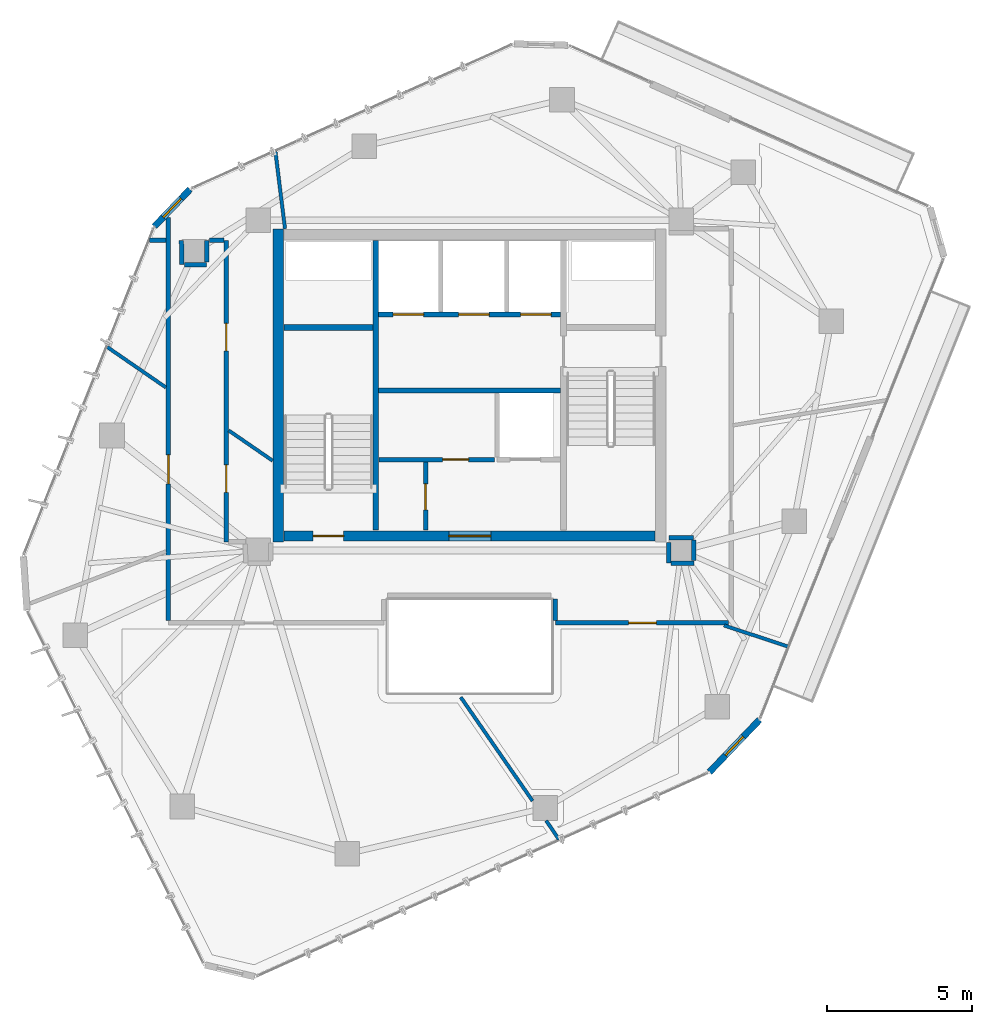
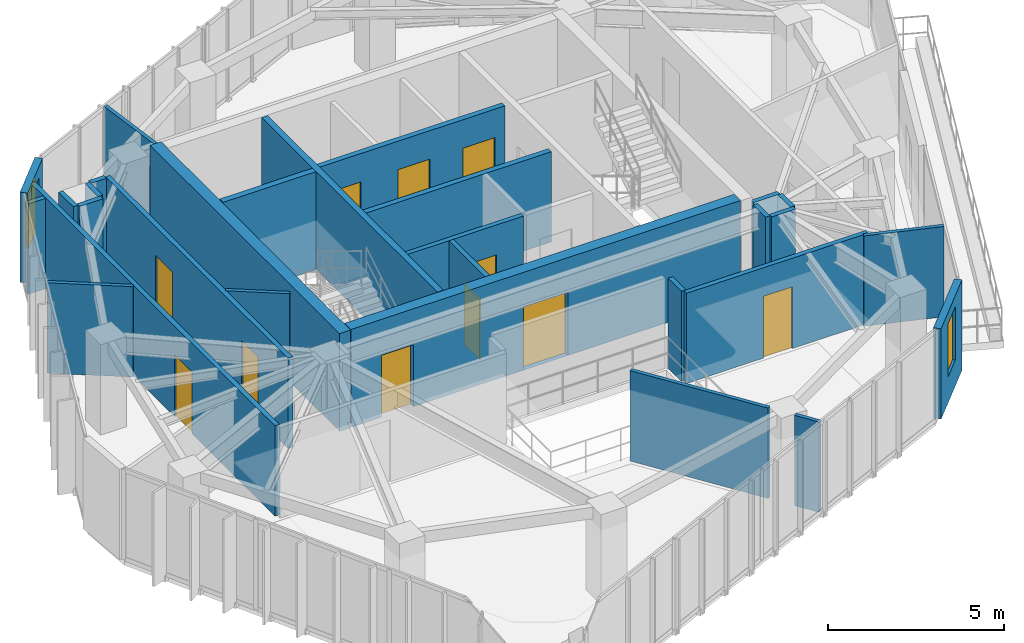
# One storey, part 17 of 21: 29 walls, 11 doors, 2 windows, 13 openings.
"""IFC4 building model written with IfcOpenShell, lengths in metres."""

import ifcopenshell
import ifcopenshell.guid

model = None  # the IFC model being written
_history = None  # IfcOwnerHistory: only IFC2X3 demands one
_inside = {}  # id of a spatial element -> (the spatial element, [elements in it])
_under = {}  # id of a project, library or spatial element -> (it, [spatial elements below it])
_declared = {}  # id of a project -> (the project, [libraries it declares])
_typed = {}  # id of a type object -> (the type object, [elements of that type])
_made_of = {}  # id of a material, layer set ... -> (it, [elements and type objects made of it])


def new_model(schema):
    """Start an empty IFC model of exactly this schema.

    Asked for "IFC4X3", IfcOpenShell would pick the latest addendum, in which some entities
    have other attributes; the version numbers below select the first issue.
    IFC2X3 requires an IfcOwnerHistory on every rooted entity: one is made here for all.
    """
    global model, _history
    if schema == "IFC4X3":
        model = ifcopenshell.file(schema_version=(4, 3, 0, 0))
    else:
        model = ifcopenshell.file(schema=schema)
    _inside.clear()
    _under.clear()
    _declared.clear()
    _typed.clear()
    _made_of.clear()
    _history = None
    if model.schema == "IFC2X3":
        org = make("IfcOrganization", Name="unknown")
        user = make(
            "IfcPersonAndOrganization",
            ThePerson=make("IfcPerson", FamilyName="unknown"),
            TheOrganization=org,
        )
        app = make(
            "IfcApplication",
            ApplicationDeveloper=org,
            Version="unknown",
            ApplicationFullName="unknown",
            ApplicationIdentifier="unknown",
        )
        _history = make(
            "IfcOwnerHistory",
            OwningUser=user,
            OwningApplication=app,
            ChangeAction="ADDED",
            CreationDate=0,
        )
    return model


def make(cls, **values):
    """One entity of the class cls with the attributes given. An attribute that is None is left unset."""
    return model.create_entity(
        cls, **{name: value for name, value in values.items() if value is not None}
    )


def rooted(cls, **values):
    """An entity with a GlobalId (a new one), such as an element, a storey or a relation."""
    return make(cls, GlobalId=ifcopenshell.guid.new(), OwnerHistory=_history, **values)


def si_unit(unit_type, name, prefix=None):
    """IfcSIUnit, for example si_unit("LENGTHUNIT", "METRE", prefix="MILLI")."""
    return make("IfcSIUnit", UnitType=unit_type, Prefix=prefix, Name=name)


def assignment(units):
    """IfcUnitAssignment: the units of a project."""
    return None if units is None else make("IfcUnitAssignment", Units=units)


def point(xyz):
    """IfcCartesianPoint."""
    return None if xyz is None else make("IfcCartesianPoint", Coordinates=xyz)


def direction(xyz):
    """IfcDirection."""
    return None if xyz is None else make("IfcDirection", DirectionRatios=xyz)


def frame(location, z_axis=None, x_axis=None):
    """IfcAxis2Placement3D, a coordinate frame: its origin and axes. An axis left out is left unset."""
    return make(
        "IfcAxis2Placement3D",
        Location=point(location),
        Axis=direction(z_axis),
        RefDirection=direction(x_axis),
    )


def frame_2d(location, x_axis=None):
    """IfcAxis2Placement2D, a coordinate frame in the plane: its origin and x axis."""
    return make(
        "IfcAxis2Placement2D", Location=point(location), RefDirection=direction(x_axis)
    )


def origin():
    """The frame at (0, 0, 0) with its axes left unset."""
    return frame((0.0, 0.0, 0.0))


def place(relative_to, where):
    """IfcLocalPlacement: puts the frame where relative to a parent placement (None: the world)."""
    return make(
        "IfcLocalPlacement", PlacementRelTo=relative_to, RelativePlacement=where
    )


def context(
    kind, dimensions, precision=None, world=None, true_north=None, identifier=None
):
    """IfcGeometricRepresentationContext, for example the 3D "Model" context."""
    return make(
        "IfcGeometricRepresentationContext",
        ContextIdentifier=identifier,
        ContextType=kind,
        CoordinateSpaceDimension=dimensions,
        Precision=precision,
        WorldCoordinateSystem=world,
        TrueNorth=true_north,
    )


def subcontext(parent, identifier, kind, view, scale=None):
    """IfcGeometricRepresentationSubContext, for example "Body" below "Model"."""
    return make(
        "IfcGeometricRepresentationSubContext",
        ContextIdentifier=identifier,
        ContextType=kind,
        ParentContext=parent,
        TargetScale=scale,
        TargetView=view,
    )


def project(units=None, contexts=None):
    """IfcProject with its units and contexts."""
    return rooted(
        "IfcProject",
        Name="project",
        RepresentationContexts=contexts,
        UnitsInContext=assignment(units),
    )


def spatial(cls, under=None, at=None, **own):
    """A site, building, storey or space (cls), placed at a placement, below another one or the project."""
    s = rooted(cls, ObjectPlacement=at, **own)
    if under is not None:
        _under.setdefault(under.id(), (under, []))[1].append(s)
    return s


def profile(cls, at=None, kind="AREA", **sizes):
    """A parametric profile (cls). Its sizes go by their IFC names, for example OverallWidth=200.0."""
    return make(cls, ProfileType=kind, Position=at, **sizes)


def rectangle(**sizes):
    """IfcRectangleProfileDef."""
    return profile("IfcRectangleProfileDef", **sizes)


def extrude(swept, where, along, depth):
    """IfcExtrudedAreaSolid: the profile swept, set in the frame where, extruded along a direction by depth."""
    return make(
        "IfcExtrudedAreaSolid",
        SweptArea=swept,
        Position=where,
        ExtrudedDirection=direction(along),
        Depth=depth,
    )


def shape(context_of_items, identifier, shape_type, items):
    """IfcShapeRepresentation: the items that make up one representation, for example the "Body"."""
    return make(
        "IfcShapeRepresentation",
        ContextOfItems=context_of_items,
        RepresentationIdentifier=identifier,
        RepresentationType=shape_type,
        Items=items,
    )


def source(mapping_origin, context_of_items, identifier, shape_type, items):
    """IfcRepresentationMap: a shape defined once, which mapped items show again and again."""
    return make(
        "IfcRepresentationMap",
        MappingOrigin=mapping_origin,
        MappedRepresentation=shape(context_of_items, identifier, shape_type, items),
    )


def transform(
    local_origin,
    x_axis=None,
    y_axis=None,
    z_axis=None,
    scale=None,
    scale2=None,
    scale3=None,
    uniform=True,
):
    """IfcCartesianTransformationOperator3D, or its non-uniform kind. x_axis, y_axis, z_axis: its Axis1, 2, 3."""
    if uniform:
        return make(
            "IfcCartesianTransformationOperator3D",
            Axis1=direction(x_axis),
            Axis2=direction(y_axis),
            LocalOrigin=point(local_origin),
            Scale=scale,
            Axis3=direction(z_axis),
        )
    return make(
        "IfcCartesianTransformationOperator3DnonUniform",
        Axis1=direction(x_axis),
        Axis2=direction(y_axis),
        LocalOrigin=point(local_origin),
        Scale=scale,
        Axis3=direction(z_axis),
        Scale2=scale2,
        Scale3=scale3,
    )


def mapped(mapping_source, mapping_target):
    """IfcMappedItem: shows the shape of a source again, moved by a transform."""
    return make(
        "IfcMappedItem", MappingSource=mapping_source, MappingTarget=mapping_target
    )


def material(Name=None, Category=None):
    """IfcMaterial."""
    return make("IfcMaterial", Name=Name, Category=Category)


def layer(
    of_material, thickness, ventilated=None, Name=None, Category=None, Priority=None
):
    """IfcMaterialLayer: one layer of a wall or slab, of a material (None: an air gap)."""
    return make(
        "IfcMaterialLayer",
        Material=of_material,
        LayerThickness=thickness,
        IsVentilated=ventilated,
        Name=Name,
        Category=Category,
        Priority=Priority,
    )


def layer_set(layers, Name=None):
    """IfcMaterialLayerSet."""
    return make("IfcMaterialLayerSet", MaterialLayers=layers, LayerSetName=Name)


def made_of(thing, what):
    """Note that an element or type object is made of a material, layer set ...; save() writes the relation."""
    if what is not None:
        _made_of.setdefault(what.id(), (what, []))[1].append(thing)
    return thing


def type_object(cls, material=None, **own):
    """A type object (cls), such as IfcWallType, which elements share."""
    return made_of(rooted(cls, **own), material)


def type_shapes(of_type, sources):
    """Give a type object the sources (RepresentationMaps) that its elements show as mapped items."""
    of_type.RepresentationMaps = sources


def element(
    cls,
    number,
    at=None,
    inside=None,
    cuts=None,
    type_object=None,
    material=None,
    context=None,
    identifier="Body",
    shape_type=None,
    held_by="IfcProductDefinitionShape",
    body=None,
    shapes=None,
    **own,
):
    """One element of the class cls, such as IfcWall. Its Tag is "e" and its number.

    at: its placement. inside: the storey or other place that contains it. cuts: it is an
    opening in that element (IfcRelVoidsElement). A single representation is given by context,
    identifier, shape_type and body (its items); several are given by shapes. held_by: the class
    of the entity that holds the representations. save() writes the other relations.
    """
    e = rooted(cls, Tag="e%d" % number, ObjectPlacement=at, **own)
    if body is not None:
        shapes = [shape(context, identifier, shape_type, body)]
    if shapes is not None:
        e.Representation = make(held_by, Representations=shapes)
    if inside is not None:
        _inside.setdefault(inside.id(), (inside, []))[1].append(e)
    if cuts is not None:
        rooted(
            "IfcRelVoidsElement", RelatingBuildingElement=cuts, RelatedOpeningElement=e
        )
    if type_object is not None:
        _typed.setdefault(type_object.id(), (type_object, []))[1].append(e)
    return made_of(e, material)


def fill(opening, filler):
    """IfcRelFillsElement: the door or window that sits in an opening."""
    return rooted(
        "IfcRelFillsElement",
        RelatingOpeningElement=opening,
        RelatedBuildingElement=filler,
    )


def aggregate(whole, parts):
    """IfcRelAggregates: a whole, such as a stair, and the parts it consists of."""
    return rooted("IfcRelAggregates", RelatingObject=whole, RelatedObjects=parts)


def save(model, path):
    """Write the relations noted so far, then the file.

    IfcRelAggregates (storeys below a building ...), IfcRelContainedInSpatialStructure (elements
    in a storey), IfcRelDefinesByType, IfcRelAssociatesMaterial and IfcRelDeclares: one each for
    every whole, place, type object, material and project.
    """
    for whole, parts in _under.values():
        aggregate(whole, parts)
    for where, things in _inside.values():
        rooted(
            "IfcRelContainedInSpatialStructure",
            RelatedElements=things,
            RelatingStructure=where,
        )
    for kind, things in _typed.values():
        rooted("IfcRelDefinesByType", RelatedObjects=things, RelatingType=kind)
    for what, things in _made_of.values():
        rooted("IfcRelAssociatesMaterial", RelatedObjects=things, RelatingMaterial=what)
    for by, libraries in _declared.values():
        rooted("IfcRelDeclares", RelatingContext=by, RelatedDefinitions=libraries)
    model.write(path)


model = new_model("IFC4")

# Units and contexts
model_context = context("Model", 3, precision=1e-05, world=origin(), true_north=direction((0.0, 1.0)))
body_context = subcontext(model_context, "Body", "Model", "MODEL_VIEW")
ifc_project = project(units=[si_unit("LENGTHUNIT", "METRE"), si_unit("AREAUNIT", "SQUARE_METRE"), si_unit("VOLUMEUNIT", "CUBIC_METRE"), si_unit("PLANEANGLEUNIT", "RADIAN"), si_unit("MASSUNIT", "GRAM", prefix="KILO")], contexts=[model_context])

# Site, building, storey
site_placement = place(None, origin())
site = spatial("IfcSite", under=ifc_project, at=site_placement, CompositionType="ELEMENT")
building_placement = place(site_placement, origin())
building = spatial("IfcBuilding", under=site, at=building_placement, Name="Talar Marvaseh", CompositionType="ELEMENT")
storey_placement = place(building_placement, frame((0.0, 0.0, 271.39990234375)))
storey = spatial("IfcBuildingStorey", under=building, at=storey_placement, Name="L72", CompositionType="ELEMENT", Elevation=271.39990234375)

# Wall, opening, window
ifc_material_1 = material(Name="Precast concrete C45/55", Category="concrete")
ifc_layer_1 = layer(ifc_material_1, 0.22509765625)
ifc_layer_set_1 = layer_set([ifc_layer_1], Name="Precast concrete C45/55")
wall_type_1 = type_object("IfcWallType", Name="Chamfered Hexagonal Corner Pier Wall Z4 225", PredefinedType="SOLIDWALL", material=ifc_layer_set_1)
wall_1_placement = place(storey_placement, frame((15.121826171875, 36.68115234375, 0.0), z_axis=(0.0, 0.0, 1.0), x_axis=(0.691583675084, 0.722296352169, 0.0)))
wall_1 = element("IfcWall", 1, at=wall_1_placement, inside=storey, type_object=wall_type_1, Name="L72 Chamfered Corner Limestone Pier 3", PredefinedType="SOLIDWALL", context=body_context, shape_type="SweptSolid", body=[
    extrude(rectangle(XDim=1.780517578125, YDim=0.22509765625, at=frame_2d((0.89013671875, 0.0))), origin(), (0.0, 0.0, 1.0), 3.14013671875),
])
opening_1_placement = place(wall_1_placement, frame((0.43994140625, 0.0, 0.89990234375)))
opening_1 = element("IfcOpeningElement", 2, at=opening_1_placement, cuts=wall_1, Name="Opening WN-CHM09", PredefinedType="OPENING", context=body_context, shape_type="SweptSolid", body=[
    extrude(rectangle(XDim=0.89990234375, YDim=1.85009765625, at=frame_2d((0.449951171875, 0.925048828125))), frame((0.0, 0.12255859375, 0.0), z_axis=(0.0, -1.0, 0.0), x_axis=(1.0, 0.0, 0.0)), (0.0, 0.0, 1.0), 0.2451171875),
])
ifc_material_2 = material(Name="Laminated Low-E Solar Glass", Category="glass")
window_type = type_object("IfcWindowType", Name="Zone 4 Chamfered Corner Slot Window 900x1850", PartitioningType="SINGLE_PANEL", PredefinedType="WINDOW", material=ifc_material_2)
shared_shape_1 = source(origin(), body_context, "Body", "SweptSolid", [
    extrude(rectangle(XDim=0.89990234375, YDim=1.85009765625, at=frame_2d((0.449951171875, 0.925048828125))), frame((0.0, 0.030029296875, 0.0), z_axis=(0.0, -1.0, 0.0), x_axis=(1.0, 0.0, 0.0)), (0.0, 0.0, 1.0), 0.06005859375),
])
type_shapes(window_type, [shared_shape_1])
window_1_placement = place(opening_1_placement, origin())
window_1 = element("IfcWindow", 3, at=window_1_placement, inside=storey, type_object=window_type, Name="L72 Chamfered Corner Slot Window", OverallHeight=1.85009765625, OverallWidth=0.89990234375, PartitioningType="SINGLE_PANEL", PredefinedType="WINDOW", context=body_context, shape_type="MappedRepresentation", body=[
    mapped(shared_shape_1, transform((0.0, 0.0, 0.0), x_axis=(1.0, 0.0, 0.0), y_axis=(0.0, 1.0, 0.0), z_axis=(0.0, 0.0, 1.0), scale=1.0)),
])
fill(opening_1, window_1)

wall_2_placement = place(storey_placement, frame((36.0009765625, 19.658203125, 0.0), z_axis=(0.0, 0.0, 1.0), x_axis=(-0.691523845402, -0.722353633092, 0.0)))
wall_2 = element("IfcWall", 4, at=wall_2_placement, inside=storey, type_object=wall_type_1, Name="L72 Chamfered Corner Limestone Pier 6", PredefinedType="SOLIDWALL", context=body_context, shape_type="SweptSolid", body=[
    extrude(rectangle(XDim=2.50244140625, YDim=0.22509765625, at=frame_2d((1.251220703125, 0.0))), origin(), (0.0, 0.0, 1.0), 3.14013671875),
])
opening_2_placement = place(wall_2_placement, frame((0.801025390625, 0.0, 0.89990234375)))
opening_2 = element("IfcOpeningElement", 5, at=opening_2_placement, cuts=wall_2, Name="Opening WN-CHM09", PredefinedType="OPENING", context=body_context, shape_type="SweptSolid", body=[
    extrude(rectangle(XDim=0.89990234375, YDim=1.85009765625, at=frame_2d((0.449951171875, 0.925048828125))), frame((0.0, 0.12255859375, 0.0), z_axis=(0.0, -1.0, 0.0), x_axis=(1.0, 0.0, 0.0)), (0.0, 0.0, 1.0), 0.2451171875),
])
window_2_placement = place(opening_2_placement, origin())
window_2 = element("IfcWindow", 6, at=window_2_placement, inside=storey, type_object=window_type, Name="L72 Chamfered Corner Slot Window", OverallHeight=1.85009765625, OverallWidth=0.89990234375, PartitioningType="SINGLE_PANEL", PredefinedType="WINDOW", context=body_context, shape_type="MappedRepresentation", body=[
    mapped(shared_shape_1, transform((0.0, 0.0, 0.0), x_axis=(1.0, 0.0, 0.0), y_axis=(0.0, 1.0, 0.0), z_axis=(0.0, 0.0, 1.0), scale=1.0)),
])
fill(opening_2, window_2)

# Wall, opening, door
ifc_material_3 = material(Name="Gypsum Board Partition Assembly")
ifc_layer_2 = layer(ifc_material_3, 0.155029296875)
ifc_layer_set_2 = layer_set([ifc_layer_2], Name="Gypsum Board Partition Assembly")
wall_type_2 = type_object("IfcWallType", Name="Corridor Fire-Rated Acoustic Partition 155", PredefinedType="PARTITIONING", material=ifc_layer_set_2)
wall_3_placement = place(storey_placement, frame((22.865966796875, 28.639892578125, 0.0), z_axis=(0.0, 0.0, 1.0), x_axis=(1.0, 0.0, 0.0)))
wall_3 = element("IfcWall", 7, at=wall_3_placement, inside=storey, type_object=wall_type_2, Name="L72 Core BOH Partition", PredefinedType="PARTITIONING", context=body_context, shape_type="SweptSolid", body=[
    extrude(rectangle(XDim=3.994140625, YDim=0.155029296875, at=frame_2d((1.9970703125, 0.0))), origin(), (0.0, 0.0, 1.0), 3.14013671875),
])
opening_3_placement = place(wall_3_placement, frame((2.199951171875, 0.0, 0.0)))
opening_3 = element("IfcOpeningElement", 8, at=opening_3_placement, cuts=wall_3, Name="Opening DR-BOH090", PredefinedType="OPENING", context=body_context, shape_type="SweptSolid", body=[
    extrude(rectangle(XDim=0.89990234375, YDim=2.10009765625, at=frame_2d((0.449951171875, 1.050048828125))), frame((0.0, 0.08740234375, 0.0), z_axis=(0.0, -1.0, 0.0), x_axis=(1.0, 0.0, 0.0)), (0.0, 0.0, 1.0), 0.175048828125),
])
ifc_material_4 = material(Name="Fire-Rated Steel Door Leaf", Category="steel")
door_type_1 = type_object("IfcDoorType", Name="Core Back-of-House Service Door 900x2100", OperationType="NOTDEFINED", PredefinedType="DOOR", material=ifc_material_4)
shared_shape_2 = source(origin(), body_context, "Body", "SweptSolid", [
    extrude(rectangle(XDim=0.89990234375, YDim=2.10009765625, at=frame_2d((0.449951171875, 1.050048828125))), frame((0.0, 0.02490234375, 0.0), z_axis=(0.0, -1.0, 0.0), x_axis=(1.0, 0.0, 0.0)), (0.0, 0.0, 1.0), 0.050048828125),
])
type_shapes(door_type_1, [shared_shape_2])
door_1_placement = place(opening_3_placement, origin())
door_1 = element("IfcDoor", 9, at=door_1_placement, inside=storey, type_object=door_type_1, Name="L72 Store Sky Core Archive Room Door", OperationType="SINGLE_SWING_LEFT", OverallHeight=2.10009765625, OverallWidth=0.89990234375, PredefinedType="DOOR", context=body_context, shape_type="MappedRepresentation", body=[
    mapped(shared_shape_2, transform((0.0, 0.0, 0.0), x_axis=(1.0, 0.0, 0.0), y_axis=(0.0, 1.0, 0.0), z_axis=(0.0, 0.0, 1.0), scale=1.0)),
])
fill(opening_3, door_1)

wall_4_placement = place(storey_placement, frame((24.47998046875, 26.199951171875, 0.0), z_axis=(0.0, 0.0, 1.0), x_axis=(0.0, 1.0, 0.0)))
wall_4 = element("IfcWall", 10, at=wall_4_placement, inside=storey, type_object=wall_type_2, Name="L72 Core BOH Partition", PredefinedType="PARTITIONING", context=body_context, shape_type="SweptSolid", body=[
    extrude(rectangle(XDim=2.360107421875, YDim=0.155029296875, at=frame_2d((1.18017578125, 0.0))), origin(), (0.0, 0.0, 1.0), 3.14013671875),
])
opening_4_placement = place(wall_4_placement, frame((0.699951171875, 0.0, 0.0)))
opening_4 = element("IfcOpeningElement", 11, at=opening_4_placement, cuts=wall_4, Name="Opening DR-BOH090", PredefinedType="OPENING", context=body_context, shape_type="SweptSolid", body=[
    extrude(rectangle(XDim=0.89990234375, YDim=2.10009765625, at=frame_2d((0.449951171875, 1.050048828125))), frame((0.0, 0.08740234375, 0.0), z_axis=(0.0, -1.0, 0.0), x_axis=(1.0, 0.0, 0.0)), (0.0, 0.0, 1.0), 0.175048828125),
])
door_2_placement = place(opening_4_placement, origin())
door_2 = element("IfcDoor", 12, at=door_2_placement, inside=storey, type_object=door_type_1, Name="L72 Cleaner and Linen Store Door", OperationType="SINGLE_SWING_LEFT", OverallHeight=2.10009765625, OverallWidth=0.89990234375, PredefinedType="DOOR", context=body_context, shape_type="MappedRepresentation", body=[
    mapped(shared_shape_2, transform((0.0, 0.0, 0.0), x_axis=(1.0, 0.0, 0.0), y_axis=(0.0, 1.0, 0.0), z_axis=(0.0, 0.0, 1.0), scale=1.0)),
])
fill(opening_4, door_2)

# Wall, openings, doors
wall_5_placement = place(storey_placement, frame((17.60009765625, 36.199951171875, 0.0), z_axis=(0.0, 0.0, 1.0), x_axis=(0.0, -1.0, 0.0)))
wall_5 = element("IfcWall", 13, at=wall_5_placement, inside=storey, type_object=wall_type_2, Name="L72 Interior Partition Wall", PredefinedType="PARTITIONING", context=body_context, shape_type="SweptSolid", body=[
    extrude(rectangle(XDim=10.39990234375, YDim=0.155029296875, at=frame_2d((5.199951171875, 0.0))), origin(), (0.0, 0.0, 1.0), 3.14013671875),
])
opening_5_placement = place(wall_5_placement, frame((2.861572265625, 0.0, 0.0)))
opening_5 = element("IfcOpeningElement", 14, at=opening_5_placement, cuts=wall_5, Name="Opening DR-WC095", PredefinedType="OPENING", context=body_context, shape_type="SweptSolid", body=[
    extrude(rectangle(XDim=0.949951171875, YDim=2.14990234375, at=frame_2d((0.47509765625, 1.074951171875))), frame((0.0, 0.08740234375, 0.0), z_axis=(0.0, -1.0, 0.0), x_axis=(1.0, 0.0, 0.0)), (0.0, 0.0, 1.0), 0.175048828125),
])
opening_6_placement = place(wall_5_placement, frame((7.74072265625, 0.0, 0.0)))
opening_6 = element("IfcOpeningElement", 15, at=opening_6_placement, cuts=wall_5, Name="Opening DR-WC095", PredefinedType="OPENING", context=body_context, shape_type="SweptSolid", body=[
    extrude(rectangle(XDim=0.949951171875, YDim=2.14990234375, at=frame_2d((0.47509765625, 1.074951171875))), frame((0.0, 0.08740234375, 0.0), z_axis=(0.0, -1.0, 0.0), x_axis=(1.0, 0.0, 0.0)), (0.0, 0.0, 1.0), 0.175048828125),
])
ifc_material_5 = material(Name="Acoustic Engineered Oak Timber", Category="wood")
door_type_2 = type_object("IfcDoorType", Name="Washroom and Service Room Door 950x2150", OperationType="NOTDEFINED", PredefinedType="DOOR", material=ifc_material_5)
shared_shape_3 = source(origin(), body_context, "Body", "SweptSolid", [
    extrude(rectangle(XDim=0.949951171875, YDim=2.14990234375, at=frame_2d((0.47509765625, 1.074951171875))), frame((0.0, 0.02490234375, 0.0), z_axis=(0.0, -1.0, 0.0), x_axis=(1.0, 0.0, 0.0)), (0.0, 0.0, 1.0), 0.050048828125),
])
type_shapes(door_type_2, [shared_shape_3])
door_3_placement = place(opening_5_placement, origin())
door_3 = element("IfcDoor", 16, at=door_3_placement, inside=storey, type_object=door_type_2, Name="L72 Accessible WC Door", OperationType="SINGLE_SWING_LEFT", OverallHeight=2.14990234375, OverallWidth=0.949951171875, PredefinedType="DOOR", context=body_context, shape_type="MappedRepresentation", body=[
    mapped(shared_shape_3, transform((0.0, 0.0, 0.0), x_axis=(1.0, 0.0, 0.0), y_axis=(0.0, 1.0, 0.0), z_axis=(0.0, 0.0, 1.0), scale=1.0)),
])
fill(opening_5, door_3)
door_4_placement = place(opening_6_placement, origin())
door_4 = element("IfcDoor", 17, at=door_4_placement, inside=storey, type_object=door_type_2, Name="L72 WC Public Washrooms Door", OperationType="SINGLE_SWING_RIGHT", OverallHeight=2.14990234375, OverallWidth=0.949951171875, PredefinedType="DOOR", context=body_context, shape_type="MappedRepresentation", body=[
    mapped(shared_shape_3, transform((0.0, 0.0, 0.0), x_axis=(1.0, 0.0, 0.0), y_axis=(0.0, 1.0, 0.0), z_axis=(0.0, 0.0, 1.0), scale=1.0)),
])
fill(opening_6, door_4)

# Wall, opening, door
wall_6_placement = place(storey_placement, frame((34.9365234375, 23.0, 0.0), z_axis=(0.0, 0.0, 1.0), x_axis=(-1.0, 0.0, 0.0)))
wall_6 = element("IfcWall", 18, at=wall_6_placement, inside=storey, type_object=wall_type_2, Name="L72 Interior Partition Wall", PredefinedType="PARTITIONING", context=body_context, shape_type="SweptSolid", body=[
    extrude(rectangle(XDim=5.9765625, YDim=0.155029296875, at=frame_2d((2.98828125, 0.0))), origin(), (0.0, 0.0, 1.0), 3.14013671875),
])
opening_7_placement = place(wall_6_placement, frame((2.497314453125, 0.0, 0.0)))
opening_7 = element("IfcOpeningElement", 19, at=opening_7_placement, cuts=wall_6, Name="Opening DR-WC095", PredefinedType="OPENING", context=body_context, shape_type="SweptSolid", body=[
    extrude(rectangle(XDim=0.949951171875, YDim=2.14990234375, at=frame_2d((0.47509765625, 1.074951171875))), frame((0.0, 0.08740234375, 0.0), z_axis=(0.0, -1.0, 0.0), x_axis=(1.0, 0.0, 0.0)), (0.0, 0.0, 1.0), 0.175048828125),
])
door_5_placement = place(opening_7_placement, origin())
door_5 = element("IfcDoor", 20, at=door_5_placement, inside=storey, type_object=door_type_2, Name="L72 Hospitality Tea Pantry Door", OperationType="SINGLE_SWING_RIGHT", OverallHeight=2.14990234375, OverallWidth=0.949951171875, PredefinedType="DOOR", context=body_context, shape_type="MappedRepresentation", body=[
    mapped(shared_shape_3, transform((0.0, 0.0, 0.0), x_axis=(1.0, 0.0, 0.0), y_axis=(0.0, 1.0, 0.0), z_axis=(0.0, 0.0, 1.0), scale=1.0)),
])
fill(opening_7, door_5)

wall_7_placement = place(storey_placement, frame((15.60009765625, 23.08349609375, 0.0), z_axis=(0.0, 0.0, 1.0), x_axis=(0.0, 1.0, 0.0)))
wall_7 = element("IfcWall", 21, at=wall_7_placement, inside=storey, type_object=wall_type_2, Name="L72 Interior Partition Wall", PredefinedType="PARTITIONING", context=body_context, shape_type="SweptSolid", body=[
    extrude(rectangle(XDim=13.912109375, YDim=0.155029296875, at=frame_2d((6.9560546875, 0.0))), origin(), (0.0, 0.0, 1.0), 3.14013671875),
])
opening_8_placement = place(wall_7_placement, frame((4.713134765625, 0.0, 0.0)))
opening_8 = element("IfcOpeningElement", 22, at=opening_8_placement, cuts=wall_7, Name="Opening DR-RM100", PredefinedType="OPENING", context=body_context, shape_type="SweptSolid", body=[
    extrude(rectangle(XDim=1.0, YDim=2.14990234375, at=frame_2d((0.5, 1.074951171875))), frame((0.0, 0.08740234375, 0.0), z_axis=(0.0, -1.0, 0.0), x_axis=(1.0, 0.0, 0.0)), (0.0, 0.0, 1.0), 0.175048828125),
])
door_type_3 = type_object("IfcDoorType", Name="Corridor Fire-Rated Gallery Door 1000x2150", OperationType="NOTDEFINED", PredefinedType="DOOR", material=ifc_material_5)
shared_shape_4 = source(origin(), body_context, "Body", "SweptSolid", [
    extrude(rectangle(XDim=1.0, YDim=2.14990234375, at=frame_2d((0.5, 1.074951171875))), frame((0.0, 0.02490234375, 0.0), z_axis=(0.0, -1.0, 0.0), x_axis=(1.0, 0.0, 0.0)), (0.0, 0.0, 1.0), 0.050048828125),
])
type_shapes(door_type_3, [shared_shape_4])
door_6_placement = place(opening_8_placement, origin())
door_6 = element("IfcDoor", 23, at=door_6_placement, inside=storey, type_object=door_type_3, Name="L72 Archival Facsimile Boutique Door", OperationType="SINGLE_SWING_LEFT", OverallHeight=2.14990234375, OverallWidth=1.0, PredefinedType="DOOR", context=body_context, shape_type="MappedRepresentation", body=[
    mapped(shared_shape_4, transform((0.0, 0.0, 0.0), x_axis=(1.0, 0.0, 0.0), y_axis=(0.0, 1.0, 0.0), z_axis=(0.0, 0.0, 1.0), scale=1.0)),
])
fill(opening_8, door_6)

# Walls
wall_8_placement = place(storey_placement, frame((16.053955078125, 36.199951171875, 0.0), z_axis=(0.0, 0.0, 1.0), x_axis=(0.018168161375, -0.999834945335, 0.0)))
element("IfcWall", 24, at=wall_8_placement, inside=storey, type_object=wall_type_2, Name="L72 Interior Partition Wall", PredefinedType="PARTITIONING", context=body_context, shape_type="SweptSolid", body=[
    extrude(rectangle(XDim=0.833251953125, YDim=0.155029296875, at=frame_2d((0.41650390625, 0.0))), origin(), (0.0, 0.0, 1.0), 3.14013671875),
])
wall_9_placement = place(storey_placement, frame((16.152587890625, 35.3671875, 0.0), z_axis=(0.0, 0.0, 1.0), x_axis=(0.999997558852, 0.002209590566, 0.0)))
element("IfcWall", 25, at=wall_9_placement, inside=storey, type_object=wall_type_2, Name="L72 Interior Partition Wall", PredefinedType="PARTITIONING", context=body_context, shape_type="SweptSolid", body=[
    extrude(rectangle(XDim=0.7734375, YDim=0.155029296875, at=frame_2d((0.38671875, 0.0))), origin(), (0.0, 0.0, 1.0), 3.14013671875),
])
wall_10_placement = place(storey_placement, frame((16.927001953125, 35.452392578125, 0.0), z_axis=(0.0, 0.0, 1.0), x_axis=(0.009470509294, 0.999955153721, 0.0)))
element("IfcWall", 26, at=wall_10_placement, inside=storey, type_object=wall_type_2, Name="L72 Interior Partition Wall", PredefinedType="PARTITIONING", context=body_context, shape_type="SweptSolid", body=[
    extrude(rectangle(XDim=0.74755859375, YDim=0.155029296875, at=frame_2d((0.373779296875, 0.0))), origin(), (0.0, 0.0, 1.0), 3.14013671875),
])
wall_11_placement = place(storey_placement, frame((17.017578125, 36.199951171875, 0.0), z_axis=(0.0, 0.0, 1.0), x_axis=(1.0, 0.0, 0.0)))
element("IfcWall", 27, at=wall_11_placement, inside=storey, type_object=wall_type_2, Name="L72 Interior Partition Wall", PredefinedType="PARTITIONING", context=body_context, shape_type="SweptSolid", body=[
    extrude(rectangle(XDim=0.4990234375, YDim=0.155029296875, at=frame_2d((0.24951171875, 0.0))), origin(), (0.0, 0.0, 1.0), 3.14013671875),
])
wall_12_placement = place(storey_placement, frame((28.959716796875, 23.08349609375, 0.0), z_axis=(0.0, 0.0, 1.0), x_axis=(-0.003917697652, 0.999992325793, 0.0)))
element("IfcWall", 28, at=wall_12_placement, inside=storey, type_object=wall_type_2, Name="L72 Interior Partition Wall", PredefinedType="PARTITIONING", context=body_context, shape_type="SweptSolid", body=[
    extrude(rectangle(XDim=0.747802734375, YDim=0.155029296875, at=frame_2d((0.3740234375, 0.0))), origin(), (0.0, 0.0, 1.0), 3.14013671875),
])
wall_13_placement = place(storey_placement, frame((14.95068359375, 36.199951171875, 0.0), z_axis=(0.0, 0.0, 1.0), x_axis=(1.0, 0.0, 0.0)))
element("IfcWall", 29, at=wall_13_placement, inside=storey, type_object=wall_type_2, Name="L72 Interior Partition Wall", PredefinedType="PARTITIONING", context=body_context, shape_type="SweptSolid", body=[
    extrude(rectangle(XDim=0.56591796875, YDim=0.155029296875, at=frame_2d((0.282958984375, 0.0))), origin(), (0.0, 0.0, 1.0), 3.14013671875),
])
wall_14_placement = place(storey_placement, frame((33.72509765625, 25.93994140625, 0.0), z_axis=(0.0, 0.0, 1.0), x_axis=(-0.999986790873, -0.005139852152, 0.0)))
element("IfcWall", 30, at=wall_14_placement, inside=storey, type_object=wall_type_2, Name="L72 Interior Partition Wall", PredefinedType="PARTITIONING", context=body_context, shape_type="SweptSolid", body=[
    extrude(rectangle(XDim=0.85498046875, YDim=0.155029296875, at=frame_2d((0.427490234375, 0.0))), origin(), (0.0, 0.0, 1.0), 3.14013671875),
])
wall_15_placement = place(storey_placement, frame((32.864501953125, 25.772705078125, 0.0), z_axis=(0.0, 0.0, 1.0), x_axis=(0.0, -1.0, 0.0)))
element("IfcWall", 31, at=wall_15_placement, inside=storey, type_object=wall_type_2, Name="L72 Interior Partition Wall", PredefinedType="PARTITIONING", context=body_context, shape_type="SweptSolid", body=[
    extrude(rectangle(XDim=0.708251953125, YDim=0.155029296875, at=frame_2d((0.35400390625, 0.0))), origin(), (0.0, 0.0, 1.0), 3.14013671875),
])
wall_16_placement = place(storey_placement, frame((32.947998046875, 25.064453125, 0.0), z_axis=(0.0, 0.0, 1.0), x_axis=(1.0, 0.0, 0.0)))
element("IfcWall", 32, at=wall_16_placement, inside=storey, type_object=wall_type_2, Name="L72 Interior Partition Wall", PredefinedType="PARTITIONING", context=body_context, shape_type="SweptSolid", body=[
    extrude(rectangle(XDim=0.78759765625, YDim=0.155029296875, at=frame_2d((0.393798828125, 0.0))), origin(), (0.0, 0.0, 1.0), 3.14013671875),
])
wall_17_placement = place(storey_placement, frame((33.734619140625, 25.14794921875, 0.0), z_axis=(0.0, 0.0, 1.0), x_axis=(-0.012059770759, 0.99992727832, 0.0)))
element("IfcWall", 33, at=wall_17_placement, inside=storey, type_object=wall_type_2, Name="L72 Interior Partition Wall", PredefinedType="PARTITIONING", context=body_context, shape_type="SweptSolid", body=[
    extrude(rectangle(XDim=0.70849609375, YDim=0.155029296875, at=frame_2d((0.354248046875, 0.0))), origin(), (0.0, 0.0, 1.0), 3.14013671875),
])
ifc_layer_3 = layer(ifc_material_3, 0.1201171875)
ifc_layer_set_3 = layer_set([ifc_layer_3], Name="Gypsum Board Partition Assembly")
wall_type_3 = type_object("IfcWallType", Name="Demountable Studio Room Partition 120", PredefinedType="PARTITIONING", material=ifc_layer_set_3)
wall_18_placement = place(storey_placement, frame((25.68994140625, 20.43994140625, 0.0), z_axis=(0.0, 0.0, 1.0), x_axis=(0.569463569902, -0.82201657073, 0.0)))
element("IfcWall", 34, at=wall_18_placement, inside=storey, type_object=wall_type_3, Name="L72 Interior Partition Wall", PredefinedType="PARTITIONING", context=body_context, shape_type="SweptSolid", body=[
    extrude(rectangle(XDim=4.35498046875, YDim=0.1201171875, at=frame_2d((2.177490234375, 0.0))), origin(), (0.0, 0.0, 1.0), 3.14013671875),
])
wall_19_placement = place(storey_placement, frame((28.639892578125, 16.179931640625, 0.0), z_axis=(0.0, 0.0, 1.0), x_axis=(0.56238688914, -0.826874226786, 0.0)))
element("IfcWall", 35, at=wall_19_placement, inside=storey, type_object=wall_type_3, Name="L72 Interior Partition Wall", PredefinedType="PARTITIONING", context=body_context, shape_type="SweptSolid", body=[
    extrude(rectangle(XDim=0.78173828125, YDim=0.1201171875, at=frame_2d((0.390869140625, 0.0))), origin(), (0.0, 0.0, 1.0), 3.14013671875),
])
wall_20_placement = place(storey_placement, frame((34.772705078125, 22.91650390625, 0.0), z_axis=(0.0, 0.0, 1.0), x_axis=(0.949517380925, -0.31371442957, 0.0)))
element("IfcWall", 36, at=wall_20_placement, inside=storey, type_object=wall_type_3, Name="L72 Interior Partition Wall", PredefinedType="PARTITIONING", context=body_context, shape_type="SweptSolid", body=[
    extrude(rectangle(XDim=2.332275390625, YDim=0.1201171875, at=frame_2d((1.166015625, 0.0))), origin(), (0.0, 0.0, 1.0), 3.14013671875),
])
wall_21_placement = place(storey_placement, frame((19.6298828125, 36.60009765625, 0.0), z_axis=(0.0, 0.0, 1.0), x_axis=(-0.123967668112, 0.992286257721, 0.0)))
element("IfcWall", 37, at=wall_21_placement, inside=storey, type_object=wall_type_3, Name="L72 Interior Partition Wall", PredefinedType="PARTITIONING", context=body_context, shape_type="SweptSolid", body=[
    extrude(rectangle(XDim=2.688232421875, YDim=0.1201171875, at=frame_2d((1.34423828125, 0.0))), origin(), (0.0, 0.0, 1.0), 3.14013671875),
])
wall_22_placement = place(storey_placement, frame((19.199951171875, 28.60009765625, 0.0), z_axis=(0.0, 0.0, 1.0), x_axis=(-0.82404579534, 0.566523192095, 0.0)))
element("IfcWall", 38, at=wall_22_placement, inside=storey, type_object=wall_type_3, Name="L72 Interior Partition Wall", PredefinedType="PARTITIONING", context=body_context, shape_type="SweptSolid", body=[
    extrude(rectangle(XDim=1.840087890625, YDim=0.1201171875, at=frame_2d((0.919921875, 0.0))), origin(), (0.0, 0.0, 1.0), 3.14013671875),
])
wall_23_placement = place(storey_placement, frame((15.5166015625, 31.127685546875, 0.0), z_axis=(0.0, 0.0, 1.0), x_axis=(-0.823590005155, 0.567185598731, 0.0)))
element("IfcWall", 39, at=wall_23_placement, inside=storey, type_object=wall_type_3, Name="L72 Interior Partition Wall", PredefinedType="PARTITIONING", context=body_context, shape_type="SweptSolid", body=[
    extrude(rectangle(XDim=2.46044921875, YDim=0.1201171875, at=frame_2d((1.230224609375, 0.0))), origin(), (0.0, 0.0, 1.0), 3.14013671875),
])

# Wall, openings, doors
ifc_layer_4 = layer(ifc_material_1, 0.175048828125)
ifc_layer_set_4 = layer_set([ifc_layer_4], Name="Precast concrete C45/55")
wall_type_4 = type_object("IfcWallType", Name="Fire-Rated Lift Hoistway Enclosure Wall 175", PredefinedType="SOLIDWALL", material=ifc_layer_set_4)
wall_24_placement = place(storey_placement, frame((22.860107421875, 33.64990234375, 0.0), z_axis=(0.0, 0.0, 1.0), x_axis=(1.0, 0.0, 0.0)))
wall_24 = element("IfcWall", 40, at=wall_24_placement, inside=storey, type_object=wall_type_4, Name="L72 Firefighting and Service Lift Front Wall", PredefinedType="SOLIDWALL", context=body_context, shape_type="SweptSolid", body=[
    extrude(rectangle(XDim=6.27978515625, YDim=0.175048828125, at=frame_2d((3.139892578125, 0.0))), origin(), (0.0, 0.0, 1.0), 3.14013671875),
])
opening_9_placement = place(wall_24_placement, frame((0.5, 0.0, 0.0)))
opening_9 = element("IfcOpeningElement", 41, at=opening_9_placement, cuts=wall_24, Name="Opening LD-FF1", PredefinedType="OPENING", context=body_context, shape_type="SweptSolid", body=[
    extrude(rectangle(XDim=1.050048828125, YDim=2.14990234375, at=frame_2d((0.52490234375, 1.074951171875))), frame((0.0, 0.09765625, 0.0), z_axis=(0.0, -1.0, 0.0), x_axis=(1.0, 0.0, 0.0)), (0.0, 0.0, 1.0), 0.195068359375),
])
opening_10_placement = place(wall_24_placement, frame((2.760009765625, 0.0, 0.0)))
opening_10 = element("IfcOpeningElement", 42, at=opening_10_placement, cuts=wall_24, Name="Opening LD-FF2", PredefinedType="OPENING", context=body_context, shape_type="SweptSolid", body=[
    extrude(rectangle(XDim=1.050048828125, YDim=2.14990234375, at=frame_2d((0.52490234375, 1.074951171875))), frame((0.0, 0.09765625, 0.0), z_axis=(0.0, -1.0, 0.0), x_axis=(1.0, 0.0, 0.0)), (0.0, 0.0, 1.0), 0.195068359375),
])
opening_11_placement = place(wall_24_placement, frame((4.89990234375, 0.0, 0.0)))
opening_11 = element("IfcOpeningElement", 43, at=opening_11_placement, cuts=wall_24, Name="Opening LD-SV1", PredefinedType="OPENING", context=body_context, shape_type="SweptSolid", body=[
    extrude(rectangle(XDim=1.050048828125, YDim=2.14990234375, at=frame_2d((0.52490234375, 1.074951171875))), frame((0.0, 0.09765625, 0.0), z_axis=(0.0, -1.0, 0.0), x_axis=(1.0, 0.0, 0.0)), (0.0, 0.0, 1.0), 0.195068359375),
])
ifc_material_6 = material(Name="Stainless Steel Grade 316", Category="steel")
door_type_4 = type_object("IfcDoorType", Name="Automatic Sliding Lift Landing Door 1050x2150", OperationType="NOTDEFINED", PredefinedType="DOOR", material=ifc_material_6)
shared_shape_5 = source(origin(), body_context, "Body", "SweptSolid", [
    extrude(rectangle(XDim=1.050048828125, YDim=2.14990234375, at=frame_2d((0.52490234375, 1.074951171875))), frame((0.0, 0.02490234375, 0.0), z_axis=(0.0, -1.0, 0.0), x_axis=(1.0, 0.0, 0.0)), (0.0, 0.0, 1.0), 0.050048828125),
])
type_shapes(door_type_4, [shared_shape_5])
door_7_placement = place(opening_9_placement, origin())
door_7 = element("IfcDoor", 44, at=door_7_placement, inside=storey, type_object=door_type_4, Name="L72 Lift FFL-1 Sliding Landing Door", OperationType="SLIDING_TO_LEFT", OverallHeight=2.14990234375, OverallWidth=1.050048828125, PredefinedType="DOOR", context=body_context, shape_type="MappedRepresentation", body=[
    mapped(shared_shape_5, transform((0.0, 0.0, 0.0), x_axis=(1.0, 0.0, 0.0), y_axis=(0.0, 1.0, 0.0), z_axis=(0.0, 0.0, 1.0), scale=1.0)),
])
fill(opening_9, door_7)
door_8_placement = place(opening_10_placement, origin())
door_8 = element("IfcDoor", 45, at=door_8_placement, inside=storey, type_object=door_type_4, Name="L72 Lift FFL-2 Sliding Landing Door", OperationType="SLIDING_TO_LEFT", OverallHeight=2.14990234375, OverallWidth=1.050048828125, PredefinedType="DOOR", context=body_context, shape_type="MappedRepresentation", body=[
    mapped(shared_shape_5, transform((0.0, 0.0, 0.0), x_axis=(1.0, 0.0, 0.0), y_axis=(0.0, 1.0, 0.0), z_axis=(0.0, 0.0, 1.0), scale=1.0)),
])
fill(opening_10, door_8)
door_9_placement = place(opening_11_placement, origin())
door_9 = element("IfcDoor", 46, at=door_9_placement, inside=storey, type_object=door_type_4, Name="L72 Lift SVL-1 Sliding Landing Door", OperationType="SLIDING_TO_LEFT", OverallHeight=2.14990234375, OverallWidth=1.050048828125, PredefinedType="DOOR", context=body_context, shape_type="MappedRepresentation", body=[
    mapped(shared_shape_5, transform((0.0, 0.0, 0.0), x_axis=(1.0, 0.0, 0.0), y_axis=(0.0, 1.0, 0.0), z_axis=(0.0, 0.0, 1.0), scale=1.0)),
])
fill(opening_11, door_9)

# Walls
wall_25_placement = place(storey_placement, frame((22.860107421875, 31.02001953125, 0.0), z_axis=(0.0, 0.0, 1.0), x_axis=(1.0, 0.0, 0.0)))
element("IfcWall", 47, at=wall_25_placement, inside=storey, type_object=wall_type_4, Name="L72 Firefighting Lobby South Smoke Wall", PredefinedType="SOLIDWALL", context=body_context, shape_type="SweptSolid", body=[
    extrude(rectangle(XDim=6.27978515625, YDim=0.175048828125, at=frame_2d((3.139892578125, 0.0))), origin(), (0.0, 0.0, 1.0), 3.14013671875),
])
ifc_material_7 = material(Name="Concrete C50/60", Category="concrete")
ifc_layer_5 = layer(ifc_material_7, 0.199951171875)
ifc_layer_set_5 = layer_set([ifc_layer_5], Name="Concrete C50/60")
wall_type_5 = type_object("IfcWallType", Name="Stair Shaft Structural Concrete Shear Wall 200", PredefinedType="SHEAR", material=ifc_layer_set_5)
wall_26_placement = place(storey_placement, frame((22.760009765625, 26.199951171875, 0.0), z_axis=(0.0, 0.0, 1.0), x_axis=(0.0, 1.0, 0.0)))
element("IfcWall", 48, at=wall_26_placement, inside=storey, type_object=wall_type_5, Name="L72 Core West Stair Shear Wall", PredefinedType="SHEAR", context=body_context, shape_type="SweptSolid", body=[
    extrude(rectangle(XDim=10.0, YDim=0.199951171875, at=frame_2d((5.0, 0.0))), origin(), (0.0, 0.0, 1.0), 3.400146484375),
])
wall_27_placement = place(storey_placement, frame((19.60009765625, 33.199951171875, 0.0), z_axis=(0.0, 0.0, 1.0), x_axis=(1.0, 0.0, 0.0)))
element("IfcWall", 49, at=wall_27_placement, inside=storey, type_object=wall_type_5, Name="L72 Stair ST-1 North Shear Wall", PredefinedType="SHEAR", context=body_context, shape_type="SweptSolid", body=[
    extrude(rectangle(XDim=3.059814453125, YDim=0.199951171875, at=frame_2d((1.52978515625, 0.0))), origin(), (0.0, 0.0, 1.0), 3.400146484375),
])
ifc_layer_6 = layer(ifc_material_7, 0.360107421875)
ifc_layer_set_6 = layer_set([ifc_layer_6], Name="Concrete C50/60")
wall_type_6 = type_object("IfcWallType", Name="Upper Core Reinforced Concrete Shear Wall 360", PredefinedType="SHEAR", material=ifc_layer_set_6)
wall_28_placement = place(storey_placement, frame((19.39990234375, 25.800048828125, 0.0), z_axis=(0.0, 0.0, 1.0), x_axis=(0.0, 1.0, 0.0)))
element("IfcWall", 50, at=wall_28_placement, inside=storey, type_object=wall_type_6, Name="L72 West Core Shear Wall", PredefinedType="SHEAR", context=body_context, shape_type="SweptSolid", body=[
    extrude(rectangle(XDim=10.800048828125, YDim=0.360107421875, at=frame_2d((5.39990234375, 0.0))), origin(), (0.0, 0.0, 1.0), 3.400146484375),
])

# Wall, openings, doors
wall_29_placement = place(storey_placement, frame((32.39990234375, 26.0, 0.0), z_axis=(0.0, 0.0, 1.0), x_axis=(-1.0, 0.0, 0.0)))
wall_29 = element("IfcWall", 51, at=wall_29_placement, inside=storey, type_object=wall_type_6, Name="L72 South Core Shear Wall", PredefinedType="SHEAR", context=body_context, shape_type="SweptSolid", body=[
    extrude(rectangle(XDim=12.7998046875, YDim=0.360107421875, at=frame_2d((6.39990234375, 0.0))), origin(), (0.0, 0.0, 1.0), 3.400146484375),
])
opening_12_placement = place(wall_29_placement, frame((10.75, 0.0, 0.0)))
opening_12 = element("IfcOpeningElement", 52, at=opening_12_placement, cuts=wall_29, Name="Opening DR-ST105", PredefinedType="OPENING", context=body_context, shape_type="SweptSolid", body=[
    extrude(rectangle(XDim=1.050048828125, YDim=2.14990234375, at=frame_2d((0.52490234375, 1.074951171875))), frame((0.0, 0.18994140625, 0.0), z_axis=(0.0, -1.0, 0.0), x_axis=(1.0, 0.0, 0.0)), (0.0, 0.0, 1.0), 0.380126953125),
])
opening_13_placement = place(wall_29_placement, frame((5.669921875, 0.0, 0.0)))
opening_13 = element("IfcOpeningElement", 53, at=opening_13_placement, cuts=wall_29, Name="Opening DR-LBY145", PredefinedType="OPENING", context=body_context, shape_type="SweptSolid", body=[
    extrude(rectangle(XDim=1.449951171875, YDim=2.199951171875, at=frame_2d((0.72509765625, 1.10009765625))), frame((0.0, 0.18994140625, 0.0), z_axis=(0.0, -1.0, 0.0), x_axis=(1.0, 0.0, 0.0)), (0.0, 0.0, 1.0), 0.380126953125),
])
door_type_5 = type_object("IfcDoorType", Name="Protected Exit Stair Fire Door 1050x2150", OperationType="NOTDEFINED", PredefinedType="DOOR", material=ifc_material_4)
shared_shape_6 = source(origin(), body_context, "Body", "SweptSolid", [
    extrude(rectangle(XDim=1.050048828125, YDim=2.14990234375, at=frame_2d((0.52490234375, 1.074951171875))), frame((0.0, 0.02490234375, 0.0), z_axis=(0.0, -1.0, 0.0), x_axis=(1.0, 0.0, 0.0)), (0.0, 0.0, 1.0), 0.050048828125),
])
type_shapes(door_type_5, [shared_shape_6])
door_10_placement = place(opening_12_placement, origin())
door_10 = element("IfcDoor", 54, at=door_10_placement, inside=storey, type_object=door_type_5, Name="L72 Stair ST-1 Exit Door", OperationType="SINGLE_SWING_RIGHT", OverallHeight=2.14990234375, OverallWidth=1.050048828125, PredefinedType="DOOR", context=body_context, shape_type="MappedRepresentation", body=[
    mapped(shared_shape_6, transform((0.0, 0.0, 0.0), x_axis=(1.0, 0.0, 0.0), y_axis=(0.0, 1.0, 0.0), z_axis=(0.0, 0.0, 1.0), scale=1.0)),
])
fill(opening_12, door_10)
door_type_6 = type_object("IfcDoorType", Name="Core Lift Lobby Double Smoke Door 1450x2200", OperationType="NOTDEFINED", PredefinedType="DOOR", material=ifc_material_4)
shared_shape_7 = source(origin(), body_context, "Body", "SweptSolid", [
    extrude(rectangle(XDim=1.449951171875, YDim=2.199951171875, at=frame_2d((0.72509765625, 1.10009765625))), frame((0.0, 0.02490234375, 0.0), z_axis=(0.0, -1.0, 0.0), x_axis=(1.0, 0.0, 0.0)), (0.0, 0.0, 1.0), 0.050048828125),
])
type_shapes(door_type_6, [shared_shape_7])
door_11_placement = place(opening_13_placement, origin())
door_11 = element("IfcDoor", 55, at=door_11_placement, inside=storey, type_object=door_type_6, Name="L72 Passenger Lift Lobby Entrance Door", OperationType="DOUBLE_DOOR_SINGLE_SWING", OverallHeight=2.199951171875, OverallWidth=1.449951171875, PredefinedType="DOOR", context=body_context, shape_type="MappedRepresentation", body=[
    mapped(shared_shape_7, transform((0.0, 0.0, 0.0), x_axis=(1.0, 0.0, 0.0), y_axis=(0.0, 1.0, 0.0), z_axis=(0.0, 0.0, 1.0), scale=1.0)),
])
fill(opening_13, door_11)

save(model, "model.ifc")
